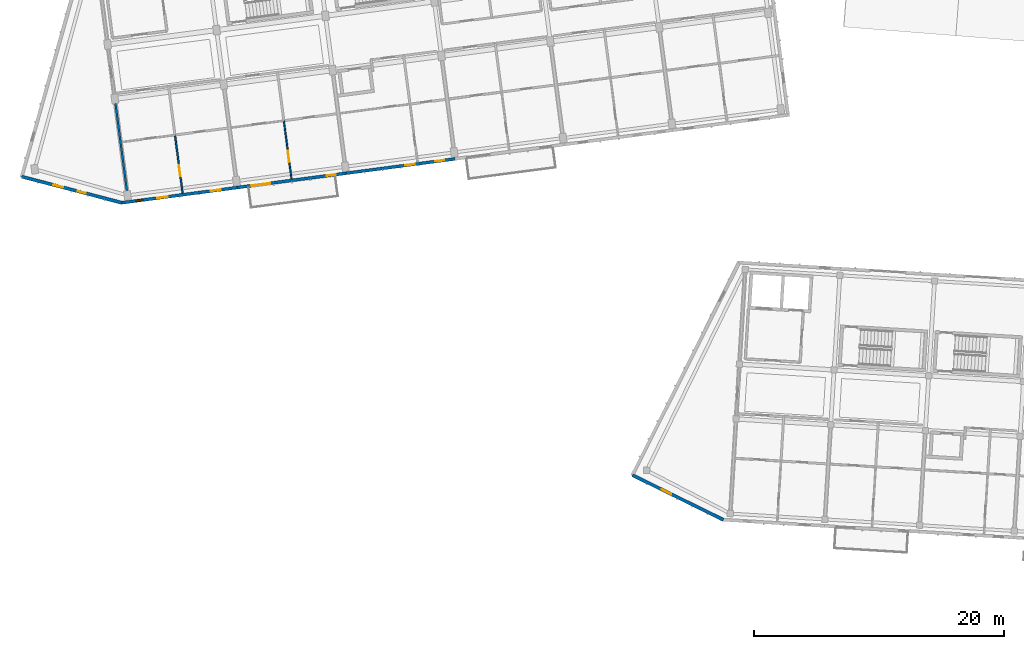
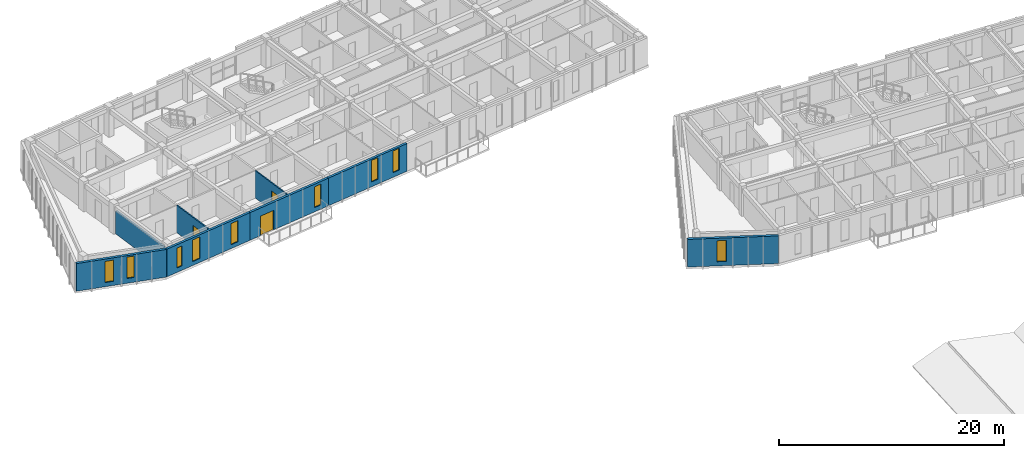
# One storey, part 18 of 74: 9 windows, 8 walls, 3 doors, 12 openings.
"""IFC4 building model written with IfcOpenShell, lengths in metres."""

from ifc_helpers import new_model, si_unit, direction, frame, frame_2d, origin, place, context, subcontext, project, spatial, rectangle, extrude, material, layer, layer_set, type_object, element, fill, save


model = new_model("IFC4")

# Units and contexts
model_context = context("Model", 3, precision=1e-05, world=origin(), true_north=direction((0.0, 1.0)))
body_context = subcontext(model_context, "Body", "Model", "MODEL_VIEW")
ifc_project = project(units=[si_unit("LENGTHUNIT", "METRE"), si_unit("AREAUNIT", "SQUARE_METRE"), si_unit("VOLUMEUNIT", "CUBIC_METRE"), si_unit("PLANEANGLEUNIT", "RADIAN"), si_unit("MASSUNIT", "GRAM", prefix="KILO")], contexts=[model_context])

# Site, building, storey
site_placement = place(None, origin())
site = spatial("IfcSite", under=ifc_project, at=site_placement, CompositionType="ELEMENT")
building_placement = place(site_placement, origin())
building = spatial("IfcBuilding", under=site, at=building_placement, Name="Kestramere Prow Commons", CompositionType="ELEMENT")
storey_placement = place(building_placement, frame((0.0, 0.0, 11.64990234375)))
storey = spatial("IfcBuildingStorey", under=building, at=storey_placement, Name="L03", CompositionType="ELEMENT", Elevation=11.64990234375)

# Wall, openings, windows
ifc_material_1 = material(Name="Weathered Zinc-Titanium Standing-Seam Cladding")
ifc_layer_1 = layer(ifc_material_1, 0.260009765625)
ifc_layer_set_1 = layer_set([ifc_layer_1], Name="Weathered Zinc-Titanium Standing-Seam Cladding")
wall_type_1 = type_object("IfcWallType", Name="EW-PROW-260", PredefinedType="SOLIDWALL", material=ifc_layer_set_1)
wall_1_placement = place(storey_placement, frame((10.748046875, 71.410888671875, 0.0), z_axis=(0.0, 0.0, 1.0), x_axis=(-0.967694955113, 0.252123925577, 0.0)))
wall_1 = element("IfcWall", 1, at=wall_1_placement, inside=storey, type_object=wall_type_1, Name="Block A L03 PRW-S Facet Wall", PredefinedType="SOLIDWALL", context=body_context, shape_type="SweptSolid", body=[
    extrude(rectangle(XDim=8.305419921875, YDim=0.260009765625, at=frame_2d((4.15283203125, 0.0))), origin(), (0.0, 0.0, 1.0), 3.0),
])
opening_1_placement = place(wall_1_placement, frame((2.989990234375, 0.0, 0.52001953125)))
opening_1 = element("IfcOpeningElement", 2, at=opening_1_placement, cuts=wall_1, Name="Opening WN-05", PredefinedType="OPENING", context=body_context, shape_type="SweptSolid", body=[
    extrude(rectangle(XDim=0.659912109375, YDim=2.320068359375, at=frame_2d((0.330078125, 1.16015625))), frame((0.0, 0.14501953125, 0.0), z_axis=(0.0, -1.0, 0.0), x_axis=(1.0, 0.0, 0.0)), (0.0, 0.0, 1.0), 0.2900390625),
])
opening_2_placement = place(wall_1_placement, frame((4.875244140625, 0.0, 0.449951171875)))
opening_2 = element("IfcOpeningElement", 3, at=opening_2_placement, cuts=wall_1, Name="Opening WN-12", PredefinedType="OPENING", context=body_context, shape_type="SweptSolid", body=[
    extrude(rectangle(XDim=0.800048828125, YDim=2.300048828125, at=frame_2d((0.39990234375, 1.14990234375))), frame((0.0, 0.14501953125, 0.0), z_axis=(0.0, -1.0, 0.0), x_axis=(1.0, 0.0, 0.0)), (0.0, 0.0, 1.0), 0.2900390625),
])
ifc_material_2 = material(Name="Low-E Laminated Double Glazing", Category="glass")
window_type_1 = type_object("IfcWindowType", Name="WN-NAR-660A", PartitioningType="SINGLE_PANEL", PredefinedType="WINDOW", material=ifc_material_2)
window_1_placement = place(opening_1_placement, origin())
window_1 = element("IfcWindow", 4, at=window_1_placement, inside=storey, type_object=window_type_1, Name="WN-A-L03-PRW-S-0", OverallHeight=2.320068359375, OverallWidth=0.659912109375, PartitioningType="SINGLE_PANEL", PredefinedType="WINDOW", context=body_context, shape_type="SweptSolid", body=[
    extrude(rectangle(XDim=0.659912109375, YDim=2.320068359375, at=frame_2d((0.330078125, 1.16015625))), frame((0.0, 0.030029296875, 0.0), z_axis=(0.0, -1.0, 0.0), x_axis=(1.0, 0.0, 0.0)), (0.0, 0.0, 1.0), 0.06005859375),
])
fill(opening_1, window_1)
window_type_2 = type_object("IfcWindowType", Name="WN-NAR-800A", PartitioningType="SINGLE_PANEL", PredefinedType="WINDOW", material=ifc_material_2)
window_2_placement = place(opening_2_placement, origin())
window_2 = element("IfcWindow", 5, at=window_2_placement, inside=storey, type_object=window_type_2, Name="WN-A-L03-PRW-S-1", OverallHeight=2.300048828125, OverallWidth=0.800048828125, PartitioningType="SINGLE_PANEL", PredefinedType="WINDOW", context=body_context, shape_type="SweptSolid", body=[
    extrude(rectangle(XDim=0.800048828125, YDim=2.300048828125, at=frame_2d((0.39990234375, 1.14990234375))), frame((0.0, 0.030029296875, 0.0), z_axis=(0.0, -1.0, 0.0), x_axis=(1.0, 0.0, 0.0)), (0.0, 0.0, 1.0), 0.06005859375),
])
fill(opening_2, window_2)

# Wall, opening, window
wall_2_placement = place(storey_placement, frame((58.94384765625, 46.008056640625, 0.0), z_axis=(0.0, 0.0, 1.0), x_axis=(-0.897775054318, 0.440454256246, 0.0)))
wall_2 = element("IfcWall", 6, at=wall_2_placement, inside=storey, type_object=wall_type_1, Name="Block C L03 PRW-S Facet Wall", PredefinedType="SOLIDWALL", context=body_context, shape_type="SweptSolid", body=[
    extrude(rectangle(XDim=8.120361328125, YDim=0.260009765625, at=frame_2d((4.06005859375, 0.0))), origin(), (0.0, 0.0, 1.0), 3.0),
])
opening_3_placement = place(wall_2_placement, frame((4.650390625, 0.0, 0.449951171875)))
opening_3 = element("IfcOpeningElement", 7, at=opening_3_placement, cuts=wall_2, Name="Opening WN-14", PredefinedType="OPENING", context=body_context, shape_type="SweptSolid", body=[
    extrude(rectangle(XDim=0.840087890625, YDim=2.280029296875, at=frame_2d((0.419921875, 1.14013671875))), frame((0.0, 0.14501953125, 0.0), z_axis=(0.0, -1.0, 0.0), x_axis=(1.0, 0.0, 0.0)), (0.0, 0.0, 1.0), 0.2900390625),
])
window_type_3 = type_object("IfcWindowType", Name="WN-NAR-840A", PartitioningType="DOUBLE_PANEL_VERTICAL", PredefinedType="WINDOW", material=ifc_material_2)
window_3_placement = place(opening_3_placement, origin())
window_3 = element("IfcWindow", 8, at=window_3_placement, inside=storey, type_object=window_type_3, Name="WN-C-L03-PRW-S-1", OverallHeight=2.280029296875, OverallWidth=0.840087890625, PartitioningType="SINGLE_PANEL", PredefinedType="WINDOW", context=body_context, shape_type="SweptSolid", body=[
    extrude(rectangle(XDim=0.840087890625, YDim=2.280029296875, at=frame_2d((0.419921875, 1.14013671875))), frame((0.0, 0.030029296875, 0.0), z_axis=(0.0, -1.0, 0.0), x_axis=(1.0, 0.0, 0.0)), (0.0, 0.0, 1.0), 0.06005859375),
])
fill(opening_3, window_3)

# Wall, openings, windows
ifc_material_3 = material(Name="Fluoropolymer Standing-Seam Zinc-Aluminium Cladding", Category="aluminium")
ifc_layer_2 = layer(ifc_material_3, 0.239990234375)
ifc_layer_set_2 = layer_set([ifc_layer_2], Name="Fluoropolymer Standing-Seam Zinc-Aluminium Cladding")
wall_type_2 = type_object("IfcWallType", Name="EW-SEAM-240", PredefinedType="SOLIDWALL", material=ifc_layer_set_2)
wall_3_placement = place(storey_placement, frame((19.9931640625, 72.628173828125, 0.0), z_axis=(0.0, 0.0, 1.0), x_axis=(-0.991442885224, -0.130541201693, 0.0)))
wall_3 = element("IfcWall", 9, at=wall_3_placement, inside=storey, type_object=wall_type_2, Name="Block A L03 South Standing-Seam Wall 1", PredefinedType="SOLIDWALL", context=body_context, shape_type="SweptSolid", body=[
    extrude(rectangle(XDim=9.324951171875, YDim=0.239990234375, at=frame_2d((4.66259765625, 0.0))), origin(), (0.0, 0.0, 1.0), 3.0),
])
opening_4_placement = place(wall_3_placement, frame((1.3505859375, 0.0, 0.419921875)))
opening_4 = element("IfcOpeningElement", 10, at=opening_4_placement, cuts=wall_3, Name="Opening WN-12", PredefinedType="OPENING", context=body_context, shape_type="SweptSolid", body=[
    extrude(rectangle(XDim=0.800048828125, YDim=2.300048828125, at=frame_2d((0.39990234375, 1.14990234375))), frame((0.0, 0.135009765625, 0.0), z_axis=(0.0, -1.0, 0.0), x_axis=(1.0, 0.0, 0.0)), (0.0, 0.0, 1.0), 0.27001953125),
])
opening_5_placement = place(wall_3_placement, frame((5.60400390625, 0.0, 0.419921875)))
opening_5 = element("IfcOpeningElement", 11, at=opening_5_placement, cuts=wall_3, Name="Opening WN-15", PredefinedType="OPENING", context=body_context, shape_type="SweptSolid", body=[
    extrude(rectangle(XDim=0.860107421875, YDim=2.360107421875, at=frame_2d((0.43017578125, 1.18017578125))), frame((0.0, 0.135009765625, 0.0), z_axis=(0.0, -1.0, 0.0), x_axis=(1.0, 0.0, 0.0)), (0.0, 0.0, 1.0), 0.27001953125),
])
opening_6_placement = place(wall_3_placement, frame((7.610107421875, 0.0, 0.47998046875)))
opening_6 = element("IfcOpeningElement", 12, at=opening_6_placement, cuts=wall_3, Name="Opening WN-01", PredefinedType="OPENING", context=body_context, shape_type="SweptSolid", body=[
    extrude(rectangle(XDim=0.580078125, YDim=2.159912109375, at=frame_2d((0.2900390625, 1.080078125))), frame((0.0, 0.135009765625, 0.0), z_axis=(0.0, -1.0, 0.0), x_axis=(1.0, 0.0, 0.0)), (0.0, 0.0, 1.0), 0.27001953125),
])
window_type_4 = type_object("IfcWindowType", Name="WN-NAR-580A", PartitioningType="SINGLE_PANEL", PredefinedType="WINDOW", material=ifc_material_2)
window_4_placement = place(opening_6_placement, origin())
window_4 = element("IfcWindow", 13, at=window_4_placement, inside=storey, type_object=window_type_4, Name="WN-A-L03-S-0-11", OverallHeight=2.159912109375, OverallWidth=0.580078125, PartitioningType="SINGLE_PANEL", PredefinedType="WINDOW", context=body_context, shape_type="SweptSolid", body=[
    extrude(rectangle(XDim=0.580078125, YDim=2.159912109375, at=frame_2d((0.2900390625, 1.080078125))), frame((0.0, 0.030029296875, 0.0), z_axis=(0.0, -1.0, 0.0), x_axis=(1.0, 0.0, 0.0)), (0.0, 0.0, 1.0), 0.06005859375),
])
fill(opening_6, window_4)
window_5_placement = place(opening_4_placement, origin())
window_5 = element("IfcWindow", 14, at=window_5_placement, inside=storey, type_object=window_type_2, Name="WN-A-L03-S-0-00", OverallHeight=2.300048828125, OverallWidth=0.800048828125, PartitioningType="SINGLE_PANEL", PredefinedType="WINDOW", context=body_context, shape_type="SweptSolid", body=[
    extrude(rectangle(XDim=0.800048828125, YDim=2.300048828125, at=frame_2d((0.39990234375, 1.14990234375))), frame((0.0, 0.030029296875, 0.0), z_axis=(0.0, -1.0, 0.0), x_axis=(1.0, 0.0, 0.0)), (0.0, 0.0, 1.0), 0.06005859375),
])
fill(opening_4, window_5)
window_type_5 = type_object("IfcWindowType", Name="WN-NAR-860A", PartitioningType="DOUBLE_PANEL_VERTICAL", PredefinedType="WINDOW", material=ifc_material_2)
window_6_placement = place(opening_5_placement, origin())
window_6 = element("IfcWindow", 15, at=window_6_placement, inside=storey, type_object=window_type_5, Name="WN-A-L03-S-0-10", OverallHeight=2.360107421875, OverallWidth=0.860107421875, PartitioningType="SINGLE_PANEL", PredefinedType="WINDOW", context=body_context, shape_type="SweptSolid", body=[
    extrude(rectangle(XDim=0.860107421875, YDim=2.360107421875, at=frame_2d((0.43017578125, 1.18017578125))), frame((0.0, 0.030029296875, 0.0), z_axis=(0.0, -1.0, 0.0), x_axis=(1.0, 0.0, 0.0)), (0.0, 0.0, 1.0), 0.06005859375),
])
fill(opening_5, window_6)

# Wall, openings, door, window
wall_4_placement = place(storey_placement, frame((28.718017578125, 73.77685546875, 0.0), z_axis=(0.0, 0.0, 1.0), x_axis=(-0.991444377792, -0.130529865336, 0.0)))
wall_4 = element("IfcWall", 16, at=wall_4_placement, inside=storey, type_object=wall_type_2, Name="Block A L03 South Standing-Seam Wall 2", PredefinedType="SOLIDWALL", context=body_context, shape_type="SweptSolid", body=[
    extrude(rectangle(XDim=8.800048828125, YDim=0.239990234375, at=frame_2d((4.39990234375, 0.0))), origin(), (0.0, 0.0, 1.0), 3.0),
])
opening_7_placement = place(wall_4_placement, frame((6.14697265625, 0.0, 0.0)))
opening_7 = element("IfcOpeningElement", 17, at=opening_7_placement, cuts=wall_4, Name="Opening GD-BAL-01", PredefinedType="OPENING", context=body_context, shape_type="SweptSolid", body=[
    extrude(rectangle(XDim=1.5, YDim=2.1201171875, at=frame_2d((0.75, 1.06005859375))), frame((0.0, 0.135009765625, 0.0), z_axis=(0.0, -1.0, 0.0), x_axis=(1.0, 0.0, 0.0)), (0.0, 0.0, 1.0), 0.27001953125),
])
opening_8_placement = place(wall_4_placement, frame((0.830078125, 0.0, 0.4599609375)))
opening_8 = element("IfcOpeningElement", 18, at=opening_8_placement, cuts=wall_4, Name="Opening WN-09", PredefinedType="OPENING", context=body_context, shape_type="SweptSolid", body=[
    extrude(rectangle(XDim=0.739990234375, YDim=2.260009765625, at=frame_2d((0.3701171875, 1.1298828125))), frame((0.0, 0.135009765625, 0.0), z_axis=(0.0, -1.0, 0.0), x_axis=(1.0, 0.0, 0.0)), (0.0, 0.0, 1.0), 0.27001953125),
])
ifc_material_4 = material(Name="Thermally-Broken Anodised Aluminium Glazed", Category="aluminium")
door_type_1 = type_object("IfcDoorType", Name="GD-BAL-1500", OperationType="SLIDING_TO_RIGHT", PredefinedType="DOOR", material=ifc_material_4)
door_1_placement = place(opening_7_placement, origin())
door_1 = element("IfcDoor", 19, at=door_1_placement, inside=storey, type_object=door_type_1, Name="Block A L03 Balcony Door 2", OperationType="SLIDING_TO_RIGHT", OverallHeight=2.1201171875, OverallWidth=1.5, PredefinedType="DOOR", context=body_context, shape_type="SweptSolid", body=[
    extrude(rectangle(XDim=1.5, YDim=2.1201171875, at=frame_2d((0.75, 1.06005859375))), frame((0.0, 0.02490234375, 0.0), z_axis=(0.0, -1.0, 0.0), x_axis=(1.0, 0.0, 0.0)), (0.0, 0.0, 1.0), 0.050048828125),
])
fill(opening_7, door_1)
window_type_6 = type_object("IfcWindowType", Name="WN-NAR-740A", PartitioningType="SINGLE_PANEL", PredefinedType="WINDOW", material=ifc_material_2)
window_7_placement = place(opening_8_placement, origin())
window_7 = element("IfcWindow", 20, at=window_7_placement, inside=storey, type_object=window_type_6, Name="WN-A-L03-SR-1", OverallHeight=2.260009765625, OverallWidth=0.739990234375, PartitioningType="SINGLE_PANEL", PredefinedType="WINDOW", context=body_context, shape_type="SweptSolid", body=[
    extrude(rectangle(XDim=0.739990234375, YDim=2.260009765625, at=frame_2d((0.3701171875, 1.1298828125))), frame((0.0, 0.030029296875, 0.0), z_axis=(0.0, -1.0, 0.0), x_axis=(1.0, 0.0, 0.0)), (0.0, 0.0, 1.0), 0.06005859375),
])
fill(opening_8, window_7)

# Wall, openings, windows
wall_5_placement = place(storey_placement, frame((37.442626953125, 74.92529296875, 0.0), z_axis=(0.0, 0.0, 1.0), x_axis=(-0.991447495205, -0.130506184728, 0.0)))
wall_5 = element("IfcWall", 21, at=wall_5_placement, inside=storey, type_object=wall_type_2, Name="Block A L03 South Standing-Seam Wall 3", PredefinedType="SOLIDWALL", context=body_context, shape_type="SweptSolid", body=[
    extrude(rectangle(XDim=8.7998046875, YDim=0.239990234375, at=frame_2d((4.39990234375, 0.0))), origin(), (0.0, 0.0, 1.0), 3.0),
])
opening_9_placement = place(wall_5_placement, frame((0.8779296875, 0.0, 0.5)))
opening_9 = element("IfcOpeningElement", 22, at=opening_9_placement, cuts=wall_5, Name="Opening WN-07", PredefinedType="OPENING", context=body_context, shape_type="SweptSolid", body=[
    extrude(rectangle(XDim=0.699951171875, YDim=2.360107421875, at=frame_2d((0.35009765625, 1.18017578125))), frame((0.0, 0.135009765625, 0.0), z_axis=(0.0, -1.0, 0.0), x_axis=(1.0, 0.0, 0.0)), (0.0, 0.0, 1.0), 0.27001953125),
])
opening_10_placement = place(wall_5_placement, frame((3.247314453125, 0.0, 0.52001953125)))
opening_10 = element("IfcOpeningElement", 23, at=opening_10_placement, cuts=wall_5, Name="Opening WN-10", PredefinedType="OPENING", context=body_context, shape_type="SweptSolid", body=[
    extrude(rectangle(XDim=0.760009765625, YDim=2.340087890625, at=frame_2d((0.3798828125, 1.169921875))), frame((0.0, 0.135009765625, 0.0), z_axis=(0.0, -1.0, 0.0), x_axis=(1.0, 0.0, 0.0)), (0.0, 0.0, 1.0), 0.27001953125),
])
window_type_7 = type_object("IfcWindowType", Name="WN-NAR-700A", PartitioningType="SINGLE_PANEL", PredefinedType="WINDOW", material=ifc_material_2)
window_8_placement = place(opening_9_placement, origin())
window_8 = element("IfcWindow", 24, at=window_8_placement, inside=storey, type_object=window_type_7, Name="WN-A-L03-S-2-00", OverallHeight=2.360107421875, OverallWidth=0.699951171875, PartitioningType="SINGLE_PANEL", PredefinedType="WINDOW", context=body_context, shape_type="SweptSolid", body=[
    extrude(rectangle(XDim=0.699951171875, YDim=2.360107421875, at=frame_2d((0.35009765625, 1.18017578125))), frame((0.0, 0.030029296875, 0.0), z_axis=(0.0, -1.0, 0.0), x_axis=(1.0, 0.0, 0.0)), (0.0, 0.0, 1.0), 0.06005859375),
])
fill(opening_9, window_8)
window_type_8 = type_object("IfcWindowType", Name="WN-NAR-760A", PartitioningType="SINGLE_PANEL", PredefinedType="WINDOW", material=ifc_material_2)
window_9_placement = place(opening_10_placement, origin())
window_9 = element("IfcWindow", 25, at=window_9_placement, inside=storey, type_object=window_type_8, Name="WN-A-L03-S-2-10", OverallHeight=2.340087890625, OverallWidth=0.760009765625, PartitioningType="SINGLE_PANEL", PredefinedType="WINDOW", context=body_context, shape_type="SweptSolid", body=[
    extrude(rectangle(XDim=0.760009765625, YDim=2.340087890625, at=frame_2d((0.3798828125, 1.169921875))), frame((0.0, 0.030029296875, 0.0), z_axis=(0.0, -1.0, 0.0), x_axis=(1.0, 0.0, 0.0)), (0.0, 0.0, 1.0), 0.06005859375),
])
fill(opening_10, window_9)

# Wall, opening, door
ifc_material_5 = material(Name="Gypsum Acoustic Drywall")
ifc_layer_3 = layer(ifc_material_5, 0.110107421875)
ifc_layer_set_3 = layer_set([ifc_layer_3], Name="Gypsum Acoustic Drywall")
wall_type_3 = type_object("IfcWallType", Name="W-PART-110", PredefinedType="PARTITIONING", material=ifc_layer_set_3)
wall_6_placement = place(storey_placement, frame((24.337890625, 73.336181640625, 0.0), z_axis=(0.0, 0.0, 1.0), x_axis=(-0.130502988823, 0.991447915883, 0.0)))
wall_6 = element("IfcWall", 26, at=wall_6_placement, inside=storey, type_object=wall_type_3, Name="Interior Partition PW-A-L03-LB-S1", PredefinedType="PARTITIONING", context=body_context, shape_type="SweptSolid", body=[
    extrude(rectangle(XDim=4.68994140625, YDim=0.110107421875, at=frame_2d((2.344970703125, 0.0))), origin(), (0.0, 0.0, 1.0), 2.97021484375),
])
opening_11_placement = place(wall_6_placement, frame((1.35009765625, 0.0, 0.0)))
opening_11 = element("IfcOpeningElement", 27, at=opening_11_placement, cuts=wall_6, Name="Opening ID-08", PredefinedType="OPENING", context=body_context, shape_type="SweptSolid", body=[
    extrude(rectangle(XDim=0.89990234375, YDim=2.10009765625, at=frame_2d((0.449951171875, 1.050048828125))), frame((0.0, 0.070068359375, 0.0), z_axis=(0.0, -1.0, 0.0), x_axis=(1.0, 0.0, 0.0)), (0.0, 0.0, 1.0), 0.14013671875),
])
ifc_material_6 = material(Name="Engineered Timber Flush Door", Category="wood")
door_type_2 = type_object("IfcDoorType", Name="D-RM-01", OperationType="NOTDEFINED", PredefinedType="DOOR", material=ifc_material_6)
door_2_placement = place(opening_11_placement, origin())
door_2 = element("IfcDoor", 28, at=door_2_placement, inside=storey, type_object=door_type_2, Name="Interior Door DR-A-L03-BED-S1", OperationType="SINGLE_SWING_RIGHT", OverallHeight=2.10009765625, OverallWidth=0.89990234375, PredefinedType="DOOR", context=body_context, shape_type="SweptSolid", body=[
    extrude(rectangle(XDim=0.89990234375, YDim=2.10009765625, at=frame_2d((0.449951171875, 1.050048828125))), frame((0.0, 0.02490234375, 0.0), z_axis=(0.0, -1.0, 0.0), x_axis=(1.0, 0.0, 0.0)), (0.0, 0.0, 1.0), 0.050048828125),
])
fill(opening_11, door_2)

ifc_material_7 = material(Name="Lightweight Blockwork and Plaster", Category="masonry")
ifc_layer_4 = layer(ifc_material_7, 0.1201171875)
ifc_layer_set_4 = layer_set([ifc_layer_4], Name="Lightweight Blockwork and Plaster")
wall_type_4 = type_object("IfcWallType", Name="W-PART-120", PredefinedType="PARTITIONING", material=ifc_layer_set_4)
wall_7_placement = place(storey_placement, frame((15.61328125, 72.187744140625, 0.0), z_axis=(0.0, 0.0, 1.0), x_axis=(-0.130554157184, 0.991441179315, 0.0)))
wall_7 = element("IfcWall", 29, at=wall_7_placement, inside=storey, type_object=wall_type_4, Name="Interior Partition PW-A-L03-LB-S0", PredefinedType="PARTITIONING", context=body_context, shape_type="SweptSolid", body=[
    extrude(rectangle(XDim=4.68994140625, YDim=0.1201171875, at=frame_2d((2.344970703125, 0.0))), origin(), (0.0, 0.0, 1.0), 2.97021484375),
])
opening_12_placement = place(wall_7_placement, frame((1.35009765625, 0.0, 0.0)))
opening_12 = element("IfcOpeningElement", 30, at=opening_12_placement, cuts=wall_7, Name="Opening ID-08", PredefinedType="OPENING", context=body_context, shape_type="SweptSolid", body=[
    extrude(rectangle(XDim=0.89990234375, YDim=2.10009765625, at=frame_2d((0.449951171875, 1.050048828125))), frame((0.0, 0.074951171875, 0.0), z_axis=(0.0, -1.0, 0.0), x_axis=(1.0, 0.0, 0.0)), (0.0, 0.0, 1.0), 0.150146484375),
])
door_3_placement = place(opening_12_placement, origin())
door_3 = element("IfcDoor", 31, at=door_3_placement, inside=storey, type_object=door_type_2, Name="Interior Door DR-A-L03-BED-S0", OperationType="SINGLE_SWING_LEFT", OverallHeight=2.10009765625, OverallWidth=0.89990234375, PredefinedType="DOOR", context=body_context, shape_type="SweptSolid", body=[
    extrude(rectangle(XDim=0.89990234375, YDim=2.10009765625, at=frame_2d((0.449951171875, 1.050048828125))), frame((0.0, 0.02490234375, 0.0), z_axis=(0.0, -1.0, 0.0), x_axis=(1.0, 0.0, 0.0)), (0.0, 0.0, 1.0), 0.050048828125),
])
fill(opening_12, door_3)

# Wall
ifc_material_8 = material(Name="Waterproof Sanitary Masonry Wall", Category="masonry")
ifc_layer_5 = layer(ifc_material_8, 0.1650390625)
ifc_layer_set_5 = layer_set([ifc_layer_5], Name="Waterproof Sanitary Masonry Wall")
wall_type_5 = type_object("IfcWallType", Name="W-PLUMB-150", PredefinedType="PLUMBINGWALL", material=ifc_layer_set_5)
wall_8_placement = place(storey_placement, frame((11.149658203125, 72.381591796875, 0.0), z_axis=(0.0, 0.0, 1.0), x_axis=(-0.130507514421, 0.991447320174, 0.0)))
element("IfcWall", 32, at=wall_8_placement, inside=storey, type_object=wall_type_5, Name="Interior Partition PW-A-L03-PRWW-S", PredefinedType="PLUMBINGWALL", context=body_context, shape_type="SweptSolid", body=[
    extrude(rectangle(XDim=7.030029296875, YDim=0.1650390625, at=frame_2d((3.51513671875, 0.0))), origin(), (0.0, 0.0, 1.0), 2.5),
])

save(model, "model.ifc")
